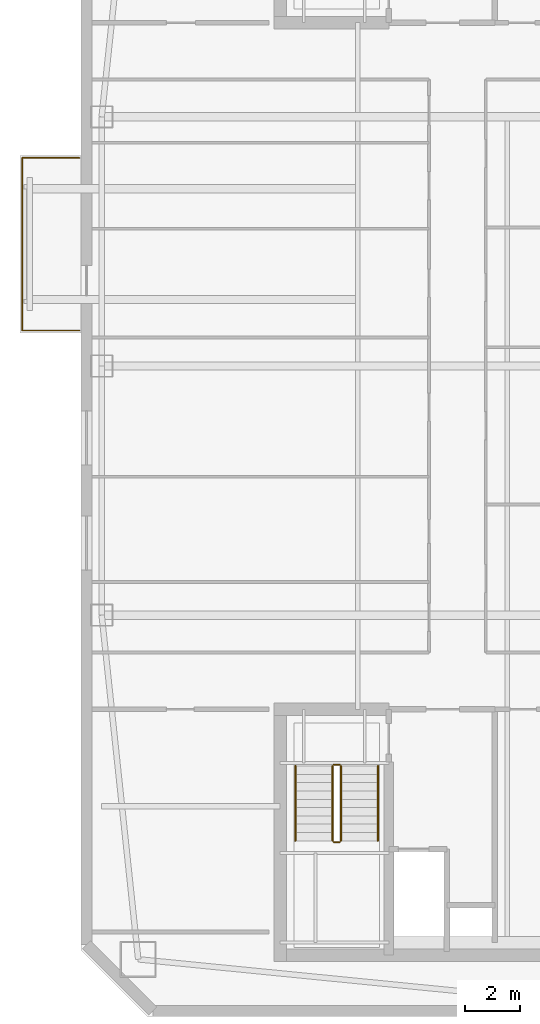
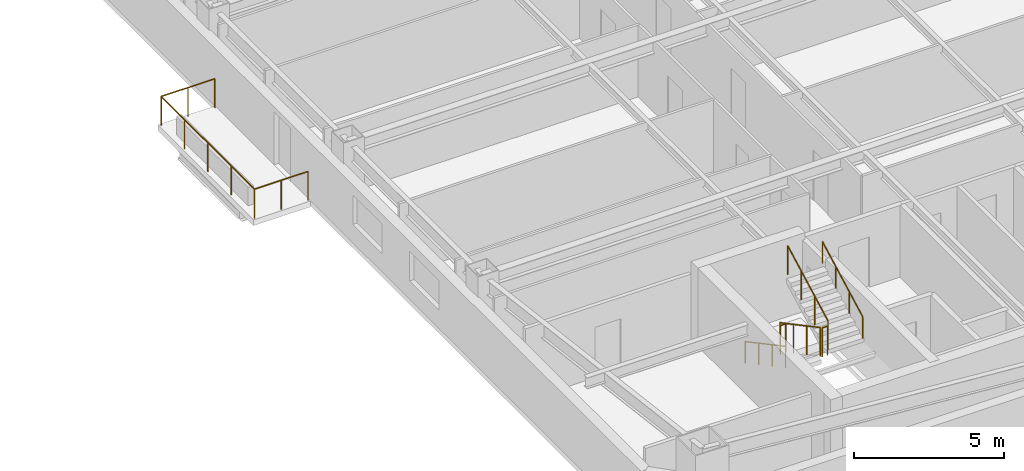
# One storey, part 5 of 6: 7 railings.
"""IFC4 building model written with IfcOpenShell, lengths in metres."""

from ifc_helpers import new_model, si_unit, direction, frame, origin, origin_2d, place, context, subcontext, project, spatial, circle, extrude, material, type_object, element, save


model = new_model("IFC4")

# Units and contexts
model_context = context("Model", 3, precision=1e-05, world=origin(), true_north=direction((0.0, 1.0)))
body_context = subcontext(model_context, "Body", "Model", "MODEL_VIEW")
ifc_project = project(units=[si_unit("LENGTHUNIT", "METRE"), si_unit("AREAUNIT", "SQUARE_METRE"), si_unit("VOLUMEUNIT", "CUBIC_METRE"), si_unit("PLANEANGLEUNIT", "RADIAN"), si_unit("MASSUNIT", "GRAM", prefix="KILO")], contexts=[model_context])

# Site, building, storey
site_placement = place(None, origin())
site = spatial("IfcSite", under=ifc_project, at=site_placement, CompositionType="ELEMENT")
building_placement = place(site_placement, origin())
building = spatial("IfcBuilding", under=site, at=building_placement, Name="Qiaolan Cultural Towers", CompositionType="ELEMENT")
storey_placement = place(building_placement, frame((0.0, 0.0, 260.0)))
storey = spatial("IfcBuildingStorey", under=building, at=storey_placement, Name="L71", CompositionType="ELEMENT", Elevation=260.0)

# Railings
ifc_material_1 = material(Name="Laminated SentryGlas & Stainless Steel S31608 Balustrade", Category="steel")
railing_type_1 = type_object("IfcRailingType", Name="GRD-TERR-1200", PredefinedType="BALUSTRADE", material=ifc_material_1)
railing_1_placement = place(storey_placement, frame((14.550048828125, 35.280029296875, 0.0)))
element("IfcRailing", 1, at=railing_1_placement, inside=storey, type_object=railing_type_1, Name="L71 T1 Tree Balcony Guardrail W", PredefinedType="BALUSTRADE", context=body_context, shape_type="SweptSolid", body=[
    extrude(circle(Radius=0.02392578125, at=origin_2d()), frame((0.0, 0.0, 1.17578125), z_axis=(-1.0, 0.0, 0.0), x_axis=(0.0, -1.0, 0.0)), (0.0, 0.0, 1.0), 2.070068359375),
    extrude(circle(Radius=0.02392578125, at=origin_2d()), frame((-2.070068359375, 0.0, 1.17578125), z_axis=(0.0, 1.0, 0.0), x_axis=(-1.0, 0.0, 0.0)), (0.0, 0.0, 1.0), 6.239990234375),
    extrude(circle(Radius=0.02392578125, at=origin_2d()), frame((-2.070068359375, 6.239990234375, 1.17578125), z_axis=(1.0, 0.0, 0.0), x_axis=(0.0, 1.0, 0.0)), (0.0, 0.0, 1.0), 2.070068359375),
    extrude(circle(Radius=0.02099609375, at=origin_2d()), origin(), (0.0, 0.0, 1.0), 1.15185546875),
    extrude(circle(Radius=0.02099609375, at=origin_2d()), frame((-1.03515625, 0.0, 0.0)), (0.0, 0.0, 1.0), 1.15185546875),
    extrude(circle(Radius=0.02099609375, at=origin_2d()), frame((-2.070068359375, 0.0, 0.0)), (0.0, 0.0, 1.0), 1.15185546875),
    extrude(circle(Radius=0.02099609375, at=origin_2d()), frame((-2.070068359375, 1.56005859375, 0.0)), (0.0, 0.0, 1.0), 1.15185546875),
    extrude(circle(Radius=0.02099609375, at=origin_2d()), frame((-2.070068359375, 3.1201171875, 0.0)), (0.0, 0.0, 1.0), 1.15185546875),
    extrude(circle(Radius=0.02099609375, at=origin_2d()), frame((-2.070068359375, 4.679931640625, 0.0)), (0.0, 0.0, 1.0), 1.15185546875),
    extrude(circle(Radius=0.02099609375, at=origin_2d()), frame((-2.070068359375, 6.239990234375, 0.0)), (0.0, 0.0, 1.0), 1.15185546875),
    extrude(circle(Radius=0.02099609375, at=origin_2d()), frame((-1.03515625, 6.239990234375, 0.0)), (0.0, 0.0, 1.0), 1.15185546875),
    extrude(circle(Radius=0.02099609375, at=origin_2d()), frame((0.0, 6.239990234375, 0.0)), (0.0, 0.0, 1.0), 1.15185546875),
])
ifc_material_2 = material(Name="Galvanized Painted Steel Stair Guardrail", Category="steel")
railing_type_2 = type_object("IfcRailingType", Name="RL-STAIR-GRD", PredefinedType="GUARDRAIL", material=ifc_material_2)
railing_2_placement = place(storey_placement, frame((23.68994140625, 19.550048828125, 0.159912109375)))
element("IfcRailing", 2, at=railing_2_placement, inside=storey, type_object=railing_type_2, Name="L71 ST-W1 stair guard 1", PredefinedType="GUARDRAIL", context=body_context, shape_type="SweptSolid", body=[
    extrude(circle(Radius=0.02392578125, at=origin_2d()), frame((0.0, 0.0, 1.17578125), z_axis=(0.0, -0.882324228566, 0.470642067484), x_axis=(1.0, 0.0, 0.0)), (0.0, 0.0, 1.0), 3.06005859375),
    extrude(circle(Radius=0.02099609375, at=origin_2d()), origin(), (0.0, 0.0, 1.0), 1.15185546875),
    extrude(circle(Radius=0.02099609375, at=origin_2d()), frame((0.0, -0.89990234375, 0.47998046875)), (0.0, 0.0, 1.0), 1.15185546875),
    extrude(circle(Radius=0.02099609375, at=origin_2d()), frame((0.0, -1.800048828125, 0.960205078125)), (0.0, 0.0, 1.0), 1.15185546875),
    extrude(circle(Radius=0.02099609375, at=origin_2d()), frame((0.0, -2.699951171875, 1.440185546875)), (0.0, 0.0, 1.0), 1.15185546875),
])
railing_3_placement = place(storey_placement, frame((23.739990234375, 16.800048828125, 1.60009765625)))
element("IfcRailing", 3, at=railing_3_placement, inside=storey, type_object=railing_type_2, Name="L71 ST-W1 stair guard 2", PredefinedType="GUARDRAIL", context=body_context, shape_type="SweptSolid", body=[
    extrude(circle(Radius=0.02392578125, at=origin_2d()), frame((0.0, 0.0, 1.17578125), z_axis=(1.0, 0.0, 0.0), x_axis=(0.0, 1.0, 0.0)), (0.0, 0.0, 1.0), 0.199951171875),
    extrude(circle(Radius=0.02099609375, at=origin_2d()), origin(), (0.0, 0.0, 1.0), 1.15185546875),
    extrude(circle(Radius=0.02099609375, at=origin_2d()), frame((0.199951171875, 0.0, 0.0)), (0.0, 0.0, 1.0), 1.15185546875),
])
railing_4_placement = place(storey_placement, frame((23.989990234375, 16.85009765625, 1.760009765625)))
element("IfcRailing", 4, at=railing_4_placement, inside=storey, type_object=railing_type_2, Name="L71 ST-W1 stair guard 3", PredefinedType="GUARDRAIL", context=body_context, shape_type="SweptSolid", body=[
    extrude(circle(Radius=0.02392578125, at=origin_2d()), frame((0.0, 0.0, 1.17578125), z_axis=(0.0, 0.882357358376, 0.470579952952), x_axis=(-1.0, 0.0, 0.0)), (0.0, 0.0, 1.0), 3.059814453125),
    extrude(circle(Radius=0.02099609375, at=origin_2d()), origin(), (0.0, 0.0, 1.0), 1.15185546875),
    extrude(circle(Radius=0.02099609375, at=origin_2d()), frame((0.0, 0.89990234375, 0.47998046875)), (0.0, 0.0, 1.0), 1.15185546875),
    extrude(circle(Radius=0.02099609375, at=origin_2d()), frame((0.0, 1.800048828125, 0.9599609375)), (0.0, 0.0, 1.0), 1.15185546875),
    extrude(circle(Radius=0.02099609375, at=origin_2d()), frame((0.0, 2.699951171875, 1.43994140625)), (0.0, 0.0, 1.0), 1.15185546875),
])
railing_5_placement = place(storey_placement, frame((23.739990234375, 19.60009765625, 0.0)))
element("IfcRailing", 5, at=railing_5_placement, inside=storey, type_object=railing_type_2, Name="L71 ST-W1 stair guard 4", PredefinedType="GUARDRAIL", context=body_context, shape_type="SweptSolid", body=[
    extrude(circle(Radius=0.02392578125, at=origin_2d()), frame((0.0, 0.0, 1.17578125), z_axis=(1.0, 0.0, 0.0), x_axis=(0.0, 1.0, 0.0)), (0.0, 0.0, 1.0), 0.199951171875),
    extrude(circle(Radius=0.02099609375, at=origin_2d()), origin(), (0.0, 0.0, 1.0), 1.15185546875),
    extrude(circle(Radius=0.02099609375, at=origin_2d()), frame((0.199951171875, 0.0, 0.0)), (0.0, 0.0, 1.0), 1.15185546875),
])
ifc_material_3 = material(Name="Stainless Steel S30408 Tubular Handrail", Category="steel")
railing_type_3 = type_object("IfcRailingType", Name="RL-STAIR-HR", PredefinedType="HANDRAIL", material=ifc_material_3)
railing_6_placement = place(storey_placement, frame((22.35009765625, 19.550048828125, 0.159912109375)))
element("IfcRailing", 6, at=railing_6_placement, inside=storey, type_object=railing_type_3, Name="L71 ST-W1 stair handrail 1", PredefinedType="HANDRAIL", context=body_context, shape_type="SweptSolid", body=[
    extrude(circle(Radius=0.02392578125, at=origin_2d()), frame((0.0, 0.0, 0.8759765625), z_axis=(0.0, -0.882324228566, 0.470642067484), x_axis=(1.0, 0.0, 0.0)), (0.0, 0.0, 1.0), 3.06005859375),
    extrude(circle(Radius=0.02099609375, at=origin_2d()), origin(), (0.0, 0.0, 1.0), 0.851806640625),
    extrude(circle(Radius=0.02099609375, at=origin_2d()), frame((0.0, -0.89990234375, 0.47998046875)), (0.0, 0.0, 1.0), 0.851806640625),
    extrude(circle(Radius=0.02099609375, at=origin_2d()), frame((0.0, -1.800048828125, 0.960205078125)), (0.0, 0.0, 1.0), 0.851806640625),
    extrude(circle(Radius=0.02099609375, at=origin_2d()), frame((0.0, -2.699951171875, 1.440185546875)), (0.0, 0.0, 1.0), 0.851806640625),
])
railing_7_placement = place(storey_placement, frame((25.330078125, 16.85009765625, 1.760009765625)))
element("IfcRailing", 7, at=railing_7_placement, inside=storey, type_object=railing_type_3, Name="L71 ST-W1 stair handrail 2", PredefinedType="HANDRAIL", context=body_context, shape_type="SweptSolid", body=[
    extrude(circle(Radius=0.02392578125, at=origin_2d()), frame((0.0, 0.0, 0.8759765625), z_axis=(0.0, 0.882357358376, 0.470579952952), x_axis=(-1.0, 0.0, 0.0)), (0.0, 0.0, 1.0), 3.059814453125),
    extrude(circle(Radius=0.02099609375, at=origin_2d()), origin(), (0.0, 0.0, 1.0), 0.851806640625),
    extrude(circle(Radius=0.02099609375, at=origin_2d()), frame((0.0, 0.89990234375, 0.47998046875)), (0.0, 0.0, 1.0), 0.851806640625),
    extrude(circle(Radius=0.02099609375, at=origin_2d()), frame((0.0, 1.800048828125, 0.9599609375)), (0.0, 0.0, 1.0), 0.851806640625),
    extrude(circle(Radius=0.02099609375, at=origin_2d()), frame((0.0, 2.699951171875, 1.43994140625)), (0.0, 0.0, 1.0), 0.851806640625),
])

save(model, "model.ifc")
